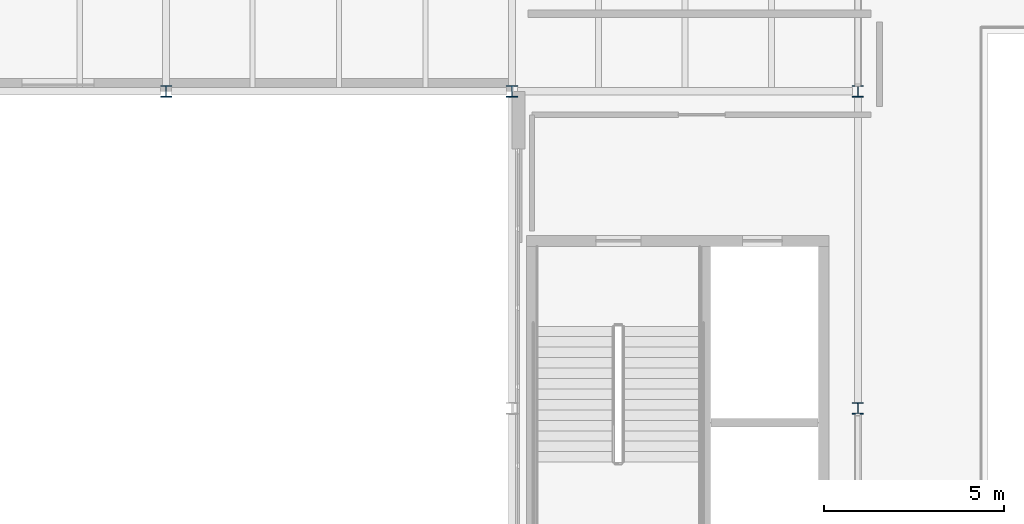
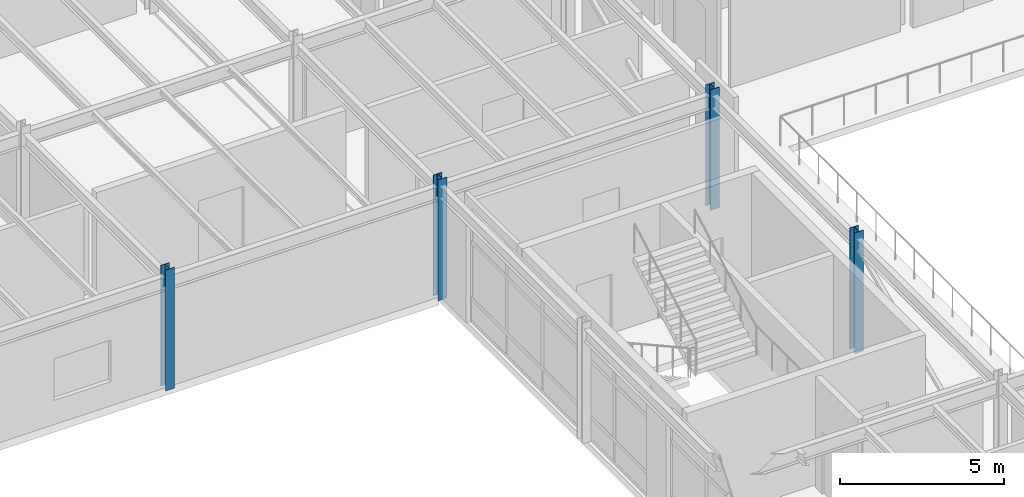
# One storey, part 5 of 69: 4 columns.
"""IFC4 building model written with IfcOpenShell, lengths in metres."""

import ifcopenshell
import ifcopenshell.guid

model = None  # the IFC model being written
_history = None  # IfcOwnerHistory: only IFC2X3 demands one
_inside = {}  # id of a spatial element -> (the spatial element, [elements in it])
_under = {}  # id of a project, library or spatial element -> (it, [spatial elements below it])
_declared = {}  # id of a project -> (the project, [libraries it declares])
_typed = {}  # id of a type object -> (the type object, [elements of that type])
_made_of = {}  # id of a material, layer set ... -> (it, [elements and type objects made of it])


def new_model(schema):
    """Start an empty IFC model of exactly this schema.

    Asked for "IFC4X3", IfcOpenShell would pick the latest addendum, in which some entities
    have other attributes; the version numbers below select the first issue.
    IFC2X3 requires an IfcOwnerHistory on every rooted entity: one is made here for all.
    """
    global model, _history
    if schema == "IFC4X3":
        model = ifcopenshell.file(schema_version=(4, 3, 0, 0))
    else:
        model = ifcopenshell.file(schema=schema)
    _inside.clear()
    _under.clear()
    _declared.clear()
    _typed.clear()
    _made_of.clear()
    _history = None
    if model.schema == "IFC2X3":
        org = make("IfcOrganization", Name="unknown")
        user = make(
            "IfcPersonAndOrganization",
            ThePerson=make("IfcPerson", FamilyName="unknown"),
            TheOrganization=org,
        )
        app = make(
            "IfcApplication",
            ApplicationDeveloper=org,
            Version="unknown",
            ApplicationFullName="unknown",
            ApplicationIdentifier="unknown",
        )
        _history = make(
            "IfcOwnerHistory",
            OwningUser=user,
            OwningApplication=app,
            ChangeAction="ADDED",
            CreationDate=0,
        )
    return model


def make(cls, **values):
    """One entity of the class cls with the attributes given. An attribute that is None is left unset."""
    return model.create_entity(
        cls, **{name: value for name, value in values.items() if value is not None}
    )


def rooted(cls, **values):
    """An entity with a GlobalId (a new one), such as an element, a storey or a relation."""
    return make(cls, GlobalId=ifcopenshell.guid.new(), OwnerHistory=_history, **values)


def si_unit(unit_type, name, prefix=None):
    """IfcSIUnit, for example si_unit("LENGTHUNIT", "METRE", prefix="MILLI")."""
    return make("IfcSIUnit", UnitType=unit_type, Prefix=prefix, Name=name)


def assignment(units):
    """IfcUnitAssignment: the units of a project."""
    return None if units is None else make("IfcUnitAssignment", Units=units)


def point(xyz):
    """IfcCartesianPoint."""
    return None if xyz is None else make("IfcCartesianPoint", Coordinates=xyz)


def direction(xyz):
    """IfcDirection."""
    return None if xyz is None else make("IfcDirection", DirectionRatios=xyz)


def frame(location, z_axis=None, x_axis=None):
    """IfcAxis2Placement3D, a coordinate frame: its origin and axes. An axis left out is left unset."""
    return make(
        "IfcAxis2Placement3D",
        Location=point(location),
        Axis=direction(z_axis),
        RefDirection=direction(x_axis),
    )


def frame_2d(location, x_axis=None):
    """IfcAxis2Placement2D, a coordinate frame in the plane: its origin and x axis."""
    return make(
        "IfcAxis2Placement2D", Location=point(location), RefDirection=direction(x_axis)
    )


def origin():
    """The frame at (0, 0, 0) with its axes left unset."""
    return frame((0.0, 0.0, 0.0))


def origin_2d():
    """The frame at (0, 0) in the plane with its x axis left unset."""
    return frame_2d((0.0, 0.0))


def place(relative_to, where):
    """IfcLocalPlacement: puts the frame where relative to a parent placement (None: the world)."""
    return make(
        "IfcLocalPlacement", PlacementRelTo=relative_to, RelativePlacement=where
    )


def context(
    kind, dimensions, precision=None, world=None, true_north=None, identifier=None
):
    """IfcGeometricRepresentationContext, for example the 3D "Model" context."""
    return make(
        "IfcGeometricRepresentationContext",
        ContextIdentifier=identifier,
        ContextType=kind,
        CoordinateSpaceDimension=dimensions,
        Precision=precision,
        WorldCoordinateSystem=world,
        TrueNorth=true_north,
    )


def subcontext(parent, identifier, kind, view, scale=None):
    """IfcGeometricRepresentationSubContext, for example "Body" below "Model"."""
    return make(
        "IfcGeometricRepresentationSubContext",
        ContextIdentifier=identifier,
        ContextType=kind,
        ParentContext=parent,
        TargetScale=scale,
        TargetView=view,
    )


def project(units=None, contexts=None):
    """IfcProject with its units and contexts."""
    return rooted(
        "IfcProject",
        Name="project",
        RepresentationContexts=contexts,
        UnitsInContext=assignment(units),
    )


def spatial(cls, under=None, at=None, **own):
    """A site, building, storey or space (cls), placed at a placement, below another one or the project."""
    s = rooted(cls, ObjectPlacement=at, **own)
    if under is not None:
        _under.setdefault(under.id(), (under, []))[1].append(s)
    return s


def profile(cls, at=None, kind="AREA", **sizes):
    """A parametric profile (cls). Its sizes go by their IFC names, for example OverallWidth=200.0."""
    return make(cls, ProfileType=kind, Position=at, **sizes)


def i_section(**sizes):
    """IfcIShapeProfileDef."""
    return profile("IfcIShapeProfileDef", **sizes)


def extrude(swept, where, along, depth):
    """IfcExtrudedAreaSolid: the profile swept, set in the frame where, extruded along a direction by depth."""
    return make(
        "IfcExtrudedAreaSolid",
        SweptArea=swept,
        Position=where,
        ExtrudedDirection=direction(along),
        Depth=depth,
    )


def shape(context_of_items, identifier, shape_type, items):
    """IfcShapeRepresentation: the items that make up one representation, for example the "Body"."""
    return make(
        "IfcShapeRepresentation",
        ContextOfItems=context_of_items,
        RepresentationIdentifier=identifier,
        RepresentationType=shape_type,
        Items=items,
    )


def material(Name=None, Category=None):
    """IfcMaterial."""
    return make("IfcMaterial", Name=Name, Category=Category)


def material_profile(
    of_material, cross_section, Name=None, Category=None, Priority=None
):
    """IfcMaterialProfile: a cross section and its material."""
    return make(
        "IfcMaterialProfile",
        Name=Name,
        Material=of_material,
        Profile=cross_section,
        Priority=Priority,
        Category=Category,
    )


def profile_set(profiles, Name=None, composite=None):
    """IfcMaterialProfileSet."""
    return make(
        "IfcMaterialProfileSet",
        Name=Name,
        MaterialProfiles=profiles,
        CompositeProfile=composite,
    )


def made_of(thing, what):
    """Note that an element or type object is made of a material, layer set ...; save() writes the relation."""
    if what is not None:
        _made_of.setdefault(what.id(), (what, []))[1].append(thing)
    return thing


def type_object(cls, material=None, **own):
    """A type object (cls), such as IfcWallType, which elements share."""
    return made_of(rooted(cls, **own), material)


def element(
    cls,
    number,
    at=None,
    inside=None,
    cuts=None,
    type_object=None,
    material=None,
    context=None,
    identifier="Body",
    shape_type=None,
    held_by="IfcProductDefinitionShape",
    body=None,
    shapes=None,
    **own,
):
    """One element of the class cls, such as IfcWall. Its Tag is "e" and its number.

    at: its placement. inside: the storey or other place that contains it. cuts: it is an
    opening in that element (IfcRelVoidsElement). A single representation is given by context,
    identifier, shape_type and body (its items); several are given by shapes. held_by: the class
    of the entity that holds the representations. save() writes the other relations.
    """
    e = rooted(cls, Tag="e%d" % number, ObjectPlacement=at, **own)
    if body is not None:
        shapes = [shape(context, identifier, shape_type, body)]
    if shapes is not None:
        e.Representation = make(held_by, Representations=shapes)
    if inside is not None:
        _inside.setdefault(inside.id(), (inside, []))[1].append(e)
    if cuts is not None:
        rooted(
            "IfcRelVoidsElement", RelatingBuildingElement=cuts, RelatedOpeningElement=e
        )
    if type_object is not None:
        _typed.setdefault(type_object.id(), (type_object, []))[1].append(e)
    return made_of(e, material)


def aggregate(whole, parts):
    """IfcRelAggregates: a whole, such as a stair, and the parts it consists of."""
    return rooted("IfcRelAggregates", RelatingObject=whole, RelatedObjects=parts)


def save(model, path):
    """Write the relations noted so far, then the file.

    IfcRelAggregates (storeys below a building ...), IfcRelContainedInSpatialStructure (elements
    in a storey), IfcRelDefinesByType, IfcRelAssociatesMaterial and IfcRelDeclares: one each for
    every whole, place, type object, material and project.
    """
    for whole, parts in _under.values():
        aggregate(whole, parts)
    for where, things in _inside.values():
        rooted(
            "IfcRelContainedInSpatialStructure",
            RelatedElements=things,
            RelatingStructure=where,
        )
    for kind, things in _typed.values():
        rooted("IfcRelDefinesByType", RelatedObjects=things, RelatingType=kind)
    for what, things in _made_of.values():
        rooted("IfcRelAssociatesMaterial", RelatedObjects=things, RelatingMaterial=what)
    for by, libraries in _declared.values():
        rooted("IfcRelDeclares", RelatingContext=by, RelatedDefinitions=libraries)
    model.write(path)


model = new_model("IFC4")

# Units and contexts
model_context = context("Model", 3, precision=1e-05, world=origin(), true_north=direction((0.0, 1.0)))
body_context = subcontext(model_context, "Body", "Model", "MODEL_VIEW")
ifc_project = project(units=[si_unit("LENGTHUNIT", "METRE"), si_unit("AREAUNIT", "SQUARE_METRE"), si_unit("VOLUMEUNIT", "CUBIC_METRE"), si_unit("PLANEANGLEUNIT", "RADIAN"), si_unit("MASSUNIT", "GRAM", prefix="KILO")], contexts=[model_context])

# Site, building, storey
site_placement = place(None, origin())
site = spatial("IfcSite", under=ifc_project, at=site_placement, CompositionType="ELEMENT")
building_placement = place(site_placement, origin())
building = spatial("IfcBuilding", under=site, at=building_placement, Name="Sarnbrook Museum", CompositionType="ELEMENT")
storey_placement = place(building_placement, frame((0.0, 0.0, 14.60009765625)))
storey = spatial("IfcBuildingStorey", under=building, at=storey_placement, Name="L03", CompositionType="ELEMENT", Elevation=14.60009765625)

# Columns
ifc_material = material(Name="Structural Steel Grade 300PLUS (AS/NZS 3679.1, fy = 280 MPa for 17 < t <= 40 mm, 300 MPa for t <= 17 mm)", Category="steel")
ifc_material_profile = material_profile(ifc_material, i_section(OverallWidth=0.306884765625, OverallDepth=0.31494140625, WebThickness=0.011962890625, FlangeThickness=0.018798828125, FilletRadius=0.0166015625, at=origin_2d()), Name="310UC118")
ifc_profile_set = profile_set([ifc_material_profile], Name="Structural Steel Grade 300PLUS (AS/NZS 3679.1, fy = 280 MPa for 17 < t <= 40 mm, 300 MPa for t <= 17 mm)")
column_type = type_object("IfcColumnType", Name="COL-UC310", PredefinedType="COLUMN", material=ifc_profile_set)
for number, where, z_axis, x_axis, name in (
    (1, (90.39990234375, 65.60009765625, 0.0), (0.0, 0.0, 1.0), (1.0, 0.0, 0.0), "Column 10-H L03"),
    (2, (90.39990234375, 74.39990234375, 0.0), (0.0, 0.0, 1.0), (1.0, 0.0, 0.0), "Column 10-J L03"),
    (3, (71.199951171875, 74.39990234375, 0.0), (0.0, 0.0, 1.0), (1.0, 0.0, 0.0), "Column 8-J L03"),
    (4, (80.800048828125, 74.39990234375, 0.0), (0.0, 0.0, 1.0), (1.0, 0.0, 0.0), "Column 9-J L03"),
):
    element("IfcColumn", number, at=place(storey_placement, frame(where, z_axis=z_axis, x_axis=x_axis)), inside=storey, type_object=column_type, Name=name, PredefinedType="COLUMN", context=body_context, shape_type="SweptSolid", body=[
        extrude(i_section(OverallWidth=0.306884765625, OverallDepth=0.31494140625, WebThickness=0.011962890625, FlangeThickness=0.018798828125, FilletRadius=0.0166015625, at=origin_2d()), origin(), (0.0, 0.0, 1.0), 4.5),
    ])

save(model, "model.ifc")
